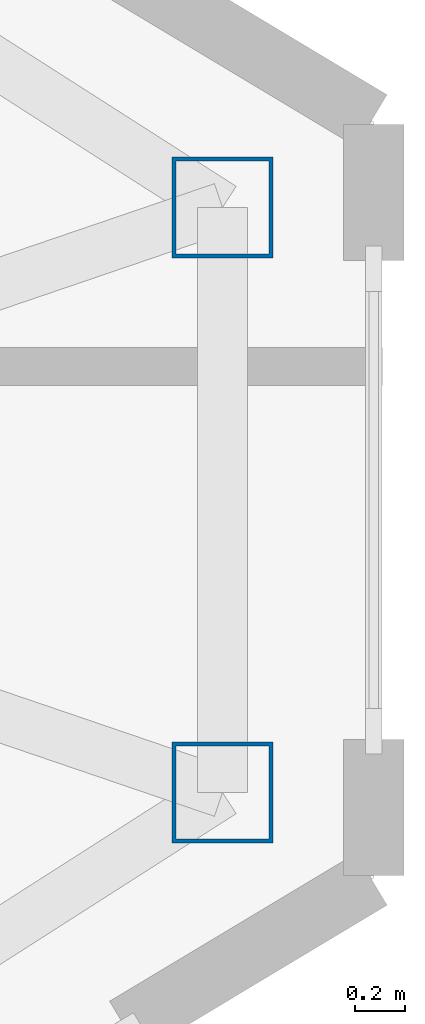
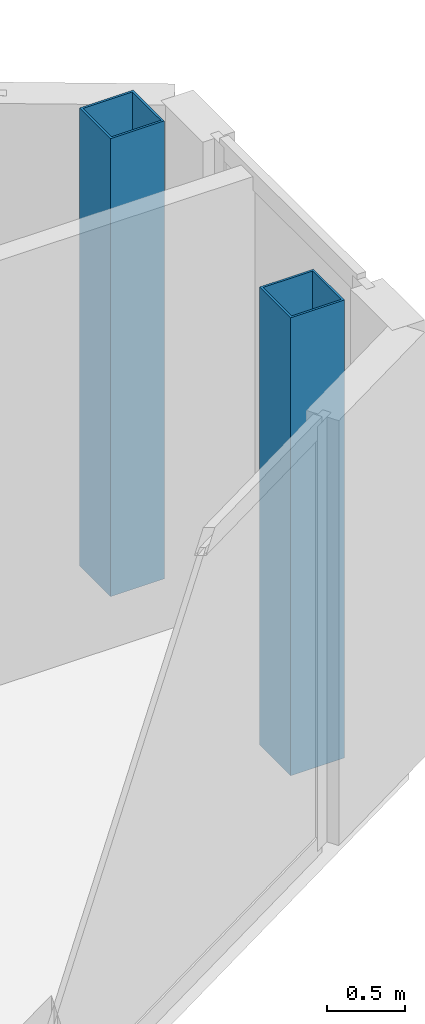
# One storey, part 4 of 26: 2 columns.
"""IFC4 building model written with IfcOpenShell, lengths in metres."""

from ifc_helpers import new_model, si_unit, direction, frame, origin, origin_2d, place, context, subcontext, project, spatial, hollow_rectangle, extrude, source, transform, mapped, material, material_profile, profile_set, type_object, type_shapes, element, save


model = new_model("IFC4")

# Units and contexts
model_context = context("Model", 3, precision=1e-05, world=origin(), true_north=direction((0.0, 1.0)))
body_context = subcontext(model_context, "Body", "Model", "MODEL_VIEW")
ifc_project = project(units=[si_unit("LENGTHUNIT", "METRE"), si_unit("AREAUNIT", "SQUARE_METRE"), si_unit("VOLUMEUNIT", "CUBIC_METRE"), si_unit("PLANEANGLEUNIT", "RADIAN"), si_unit("MASSUNIT", "GRAM", prefix="KILO")], contexts=[model_context])

# Site, building, storey
site_placement = place(None, origin())
site = spatial("IfcSite", under=ifc_project, at=site_placement, CompositionType="ELEMENT")
building_placement = place(site_placement, origin())
building = spatial("IfcBuilding", under=site, at=building_placement, Name="Seokmaru Belvedere", CompositionType="ELEMENT")
storey_placement = place(building_placement, frame((0.0, 0.0, 221.10009765625)))
storey = spatial("IfcBuildingStorey", under=building, at=storey_placement, Name="L59", CompositionType="ELEMENT", Elevation=221.10009765625)

# Columns
ifc_material = material(Name="Steel SM355 (355 MPa)", Category="steel")
ifc_material_profile = material_profile(ifc_material, hollow_rectangle(XDim=0.39990234375, YDim=0.39990234375, WallThickness=0.01611328125, at=origin_2d()), Name="HSS-400x400x16")
ifc_profile_set = profile_set([ifc_material_profile], Name="Steel SM355 (355 MPa)")
column_type = type_object("IfcColumnType", Name="Perimeter Facet Column HSS-400", PredefinedType="COLUMN", material=ifc_profile_set)
shared_shape = source(origin(), body_context, "Body", "SweptSolid", [
    extrude(hollow_rectangle(XDim=0.39990234375, YDim=0.39990234375, WallThickness=0.01611328125, at=origin_2d()), origin(), (0.0, 0.0, 1.0), 3.599853515625),
])
type_shapes(column_type, [shared_shape])
for number, where, z_axis, x_axis, name in (
    (1, (66.89990234375, -1.160400390625, 0.0), (0.0, 0.0, 1.0), (1.0, 0.0, 0.0), "L59 Column EF2"),
    (2, (66.89990234375, 1.160400390625, 0.0), (0.0, 0.0, 1.0), (1.0, 0.0, 0.0), "L59 Column EF3"),
):
    element("IfcColumn", number, at=place(storey_placement, frame(where, z_axis=z_axis, x_axis=x_axis)), inside=storey, type_object=column_type, Name=name, PredefinedType="COLUMN", context=body_context, shape_type="MappedRepresentation", body=[
        mapped(shared_shape, transform((0.0, 0.0, 0.0), scale=1.0)),
    ])

save(model, "model.ifc")
